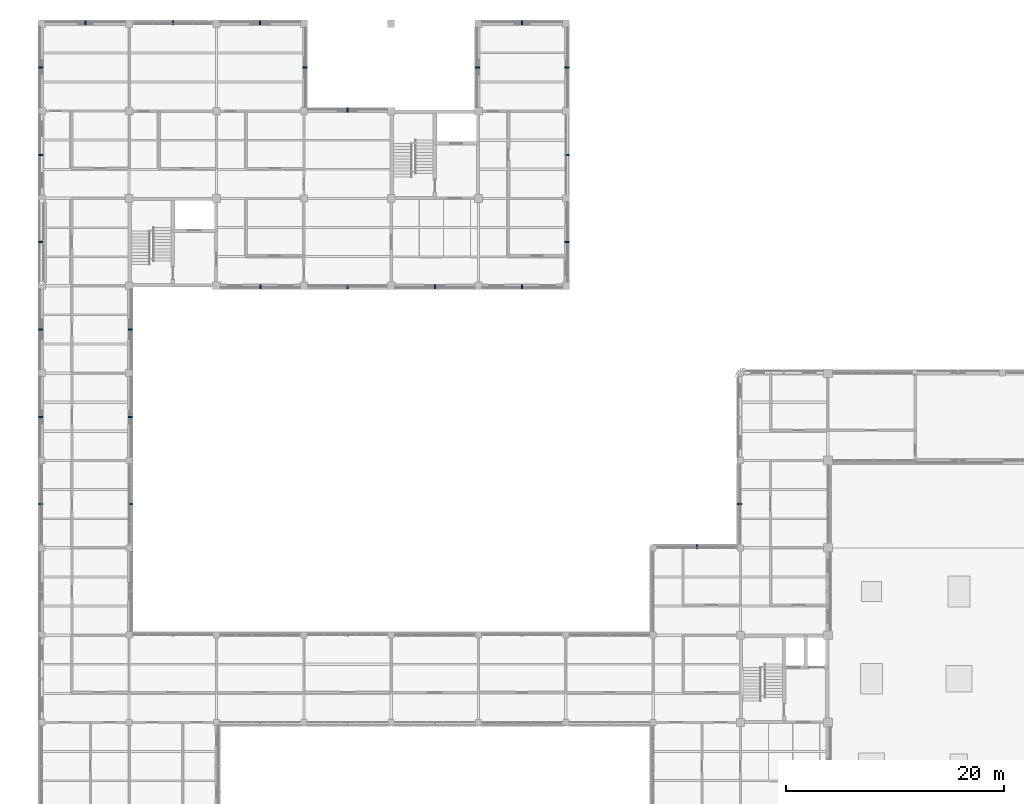
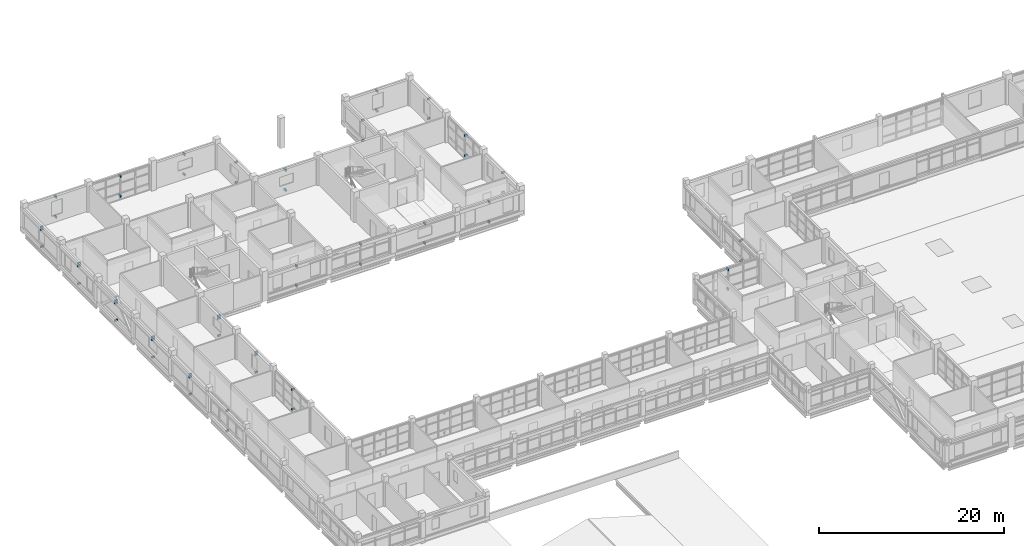
# One storey, part 92 of 107: 57 discrete accessories.
"""IFC4 building model written with IfcOpenShell, lengths in metres."""

from ifc_helpers import new_model, si_unit, derived_unit, direction, frame, origin, origin_2d, place, context, subcontext, project, spatial, rectangle, extrude, material, type_object, element, save


model = new_model("IFC4")

# Units and contexts
model_context = context("Model", 3, precision=1e-05, world=origin(), true_north=direction((0.0, 1.0)))
body_context = subcontext(model_context, "Body", "Model", "MODEL_VIEW")
ifc_project = project(units=[si_unit("LENGTHUNIT", "METRE"), si_unit("AREAUNIT", "SQUARE_METRE"), si_unit("VOLUMEUNIT", "CUBIC_METRE"), si_unit("PLANEANGLEUNIT", "RADIAN"), si_unit("MASSUNIT", "GRAM", prefix="KILO"), derived_unit("THERMALTRANSMITTANCEUNIT", [(si_unit("MASSUNIT", "GRAM", prefix="KILO"), 1), (si_unit("TIMEUNIT", "SECOND"), -3), (si_unit("THERMODYNAMICTEMPERATUREUNIT", "KELVIN"), -1)])], contexts=[model_context])

# Site, building, storey
site_placement = place(None, origin())
site = spatial("IfcSite", under=ifc_project, at=site_placement, CompositionType="ELEMENT")
building_placement = place(site_placement, origin())
building = spatial("IfcBuilding", under=site, at=building_placement, Name="Veyamyaing Civic Hall", CompositionType="ELEMENT")
storey_placement = place(building_placement, frame((0.0, 0.0, 13.860107421875)))
storey = spatial("IfcBuildingStorey", under=building, at=storey_placement, Name="L03", CompositionType="ELEMENT", Elevation=13.860107421875)

# Discrete accessories
ifc_material = material(Name="Steel S355J2", Category="steel")
discrete_accessory_type = type_object("IfcDiscreteAccessoryType", Name="BK-01", PredefinedType="BRACKET", material=ifc_material)
for number, where, z_axis, x_axis, name in (
    (1, (-0.10009765625, 68.0, 3.02685546875), (0.0, 0.0, 1.0), (-1.0, 0.0, 0.0), "Sunshade anchor bracket BK-01 L03 W 1.9"),
    (2, (-0.10009765625, 68.0, 0.35986328125), (0.0, 0.0, 1.0), (-1.0, 0.0, 0.0), "Lower ribbon anchor bracket BK-01 L03 W 1.9"),
    (3, (8.10009765625, 68.0, 2.9599609375), (0.0, 0.0, 1.0), (1.0, 0.0, 0.0), "Sunshade anchor bracket BK-01 L03 E 1.9"),
    (4, (8.10009765625, 68.0, 0.35986328125), (0.0, 0.0, 1.0), (1.0, 0.0, 0.0), "Lower ribbon anchor bracket BK-01 L03 E 1.9"),
    (5, (-0.10009765625, 75.97509765625, 2.9599609375), (0.0, 0.0, 1.0), (-1.0, 0.0, 0.0), "Sunshade anchor bracket BK-01 L03 W 1.10"),
    (6, (-0.10009765625, 75.97509765625, 0.35986328125), (0.0, 0.0, 1.0), (-1.0, 0.0, 0.0), "Lower ribbon anchor bracket BK-01 L03 W 1.10"),
    (7, (-0.10009765625, 75.97509765625, 2.6298828125), (0.0, 0.0, 1.0), (-1.0, 0.0, 0.0), "Louvre anchor bracket BK-01 L03 W 1.10"),
    (8, (8.10009765625, 75.97509765625, 3.02392578125), (0.0, 0.0, 1.0), (1.0, 0.0, 0.0), "Sunshade anchor bracket BK-01 L03 E 1.10"),
    (9, (8.10009765625, 75.97509765625, 0.35986328125), (0.0, 0.0, 1.0), (1.0, 0.0, 0.0), "Lower ribbon anchor bracket BK-01 L03 E 1.10"),
    (10, (8.10009765625, 75.97509765625, 2.69384765625), (0.0, 0.0, 1.0), (1.0, 0.0, 0.0), "Louvre anchor bracket BK-01 L03 E 1.10"),
    (11, (-0.10009765625, 84.0, 3.02392578125), (0.0, 0.0, 1.0), (-1.0, 0.0, 0.0), "Sunshade anchor bracket BK-01 L03 W 1.11"),
    (12, (-0.10009765625, 84.0, 0.35986328125), (0.0, 0.0, 1.0), (-1.0, 0.0, 0.0), "Lower ribbon anchor bracket BK-01 L03 W 1.11"),
    (13, (-0.10009765625, 84.0, 2.69384765625), (0.0, 0.0, 1.0), (-1.0, 0.0, 0.0), "Louvre anchor bracket BK-01 L03 W 1.11"),
    (14, (8.10009765625, 83.987548828125, 2.9638671875), (0.0, 0.0, 1.0), (1.0, 0.0, 0.0), "Sunshade anchor bracket BK-01 L03 E 1.11"),
    (15, (8.10009765625, 83.987548828125, 0.35986328125), (0.0, 0.0, 1.0), (1.0, 0.0, 0.0), "Lower ribbon anchor bracket BK-01 L03 E 1.11"),
    (16, (8.10009765625, 83.987548828125, 2.6337890625), (0.0, 0.0, 1.0), (1.0, 0.0, 0.0), "Louvre anchor bracket BK-01 L03 E 1.11"),
    (17, (-0.10009765625, 92.0, 2.9638671875), (0.0, 0.0, 1.0), (-1.0, 0.0, 0.0), "Sunshade anchor bracket BK-01 L03 W 1.12"),
    (18, (-0.10009765625, 92.0, 0.35986328125), (0.0, 0.0, 1.0), (-1.0, 0.0, 0.0), "Lower ribbon anchor bracket BK-01 L03 W 1.12"),
    (19, (-0.10009765625, 92.0, 2.6337890625), (0.0, 0.0, 1.0), (-1.0, 0.0, 0.0), "Louvre anchor bracket BK-01 L03 W 1.12"),
    (20, (-0.10009765625, 100.0, 3.02685546875), (0.0, 0.0, 1.0), (-1.0, 0.0, 0.0), "Sunshade anchor bracket BK-01 L03 W 1.13"),
    (21, (-0.10009765625, 100.0, 0.35986328125), (0.0, 0.0, 1.0), (-1.0, 0.0, 0.0), "Lower ribbon anchor bracket BK-01 L03 W 1.13"),
    (22, (-0.10009765625, 100.0, 2.69677734375), (0.0, 0.0, 1.0), (-1.0, 0.0, 0.0), "Louvre anchor bracket BK-01 L03 W 1.13"),
    (23, (4.0, 112.10009765625, 3.02392578125), (0.0, 0.0, 1.0), (0.0, 1.0, 0.0), "Sunshade anchor bracket BK-01 L03 N 1.14"),
    (24, (4.0, 112.10009765625, 0.35986328125), (0.0, 0.0, 1.0), (0.0, 1.0, 0.0), "Lower ribbon anchor bracket BK-01 L03 N 1.14"),
    (25, (-0.10009765625, 108.0, 2.9599609375), (0.0, 0.0, 1.0), (-1.0, 0.0, 0.0), "Sunshade anchor bracket BK-01 L03 W 1.14"),
    (26, (-0.10009765625, 108.0, 0.35986328125), (0.0, 0.0, 1.0), (-1.0, 0.0, 0.0), "Lower ribbon anchor bracket BK-01 L03 W 1.14"),
    (27, (-0.10009765625, 108.0, 2.6298828125), (0.0, 0.0, 1.0), (-1.0, 0.0, 0.0), "Louvre anchor bracket BK-01 L03 W 1.14"),
    (28, (12.0, 112.10009765625, 2.9638671875), (0.0, 0.0, 1.0), (0.0, 1.0, 0.0), "Sunshade anchor bracket BK-01 L03 N 2.14"),
    (29, (12.0, 112.10009765625, 0.35986328125), (0.0, 0.0, 1.0), (0.0, 1.0, 0.0), "Lower ribbon anchor bracket BK-01 L03 N 2.14"),
    (30, (20.012451171875, 87.89990234375, 2.9599609375), (0.0, 0.0, 1.0), (0.0, -1.0, 0.0), "Sunshade anchor bracket BK-01 L03 S 3.12"),
    (31, (20.012451171875, 87.89990234375, 0.35986328125), (0.0, 0.0, 1.0), (0.0, -1.0, 0.0), "Lower ribbon anchor bracket BK-01 L03 S 3.12"),
    (32, (20.0, 112.10009765625, 3.02685546875), (0.0, 0.0, 1.0), (0.0, 1.0, 0.0), "Sunshade anchor bracket BK-01 L03 N 3.14"),
    (33, (20.0, 112.10009765625, 0.35986328125), (0.0, 0.0, 1.0), (0.0, 1.0, 0.0), "Lower ribbon anchor bracket BK-01 L03 N 3.14"),
    (34, (24.10009765625, 108.0, 3.02685546875), (0.0, 0.0, 1.0), (1.0, 0.0, 0.0), "Sunshade anchor bracket BK-01 L03 E 3.14"),
    (35, (24.10009765625, 108.0, 0.35986328125), (0.0, 0.0, 1.0), (1.0, 0.0, 0.0), "Lower ribbon anchor bracket BK-01 L03 E 3.14"),
    (36, (28.0, 87.89990234375, 3.02392578125), (0.0, 0.0, 1.0), (0.0, -1.0, 0.0), "Sunshade anchor bracket BK-01 L03 S 4.12"),
    (37, (28.0, 87.89990234375, 0.35986328125), (0.0, 0.0, 1.0), (0.0, -1.0, 0.0), "Lower ribbon anchor bracket BK-01 L03 S 4.12"),
    (38, (27.987548828125, 104.10009765625, 3.02685546875), (0.0, 0.0, 1.0), (0.0, 1.0, 0.0), "Sunshade anchor bracket BK-01 L03 N 4.13"),
    (39, (27.987548828125, 104.10009765625, 0.35986328125), (0.0, 0.0, 1.0), (0.0, 1.0, 0.0), "Lower ribbon anchor bracket BK-01 L03 N 4.13"),
    (40, (36.0, 87.89990234375, 2.9638671875), (0.0, 0.0, 1.0), (0.0, -1.0, 0.0), "Sunshade anchor bracket BK-01 L03 S 5.12"),
    (41, (36.0, 87.89990234375, 0.35986328125), (0.0, 0.0, 1.0), (0.0, -1.0, 0.0), "Lower ribbon anchor bracket BK-01 L03 S 5.12"),
    (42, (44.0, 87.89990234375, 3.02685546875), (0.0, 0.0, 1.0), (0.0, -1.0, 0.0), "Sunshade anchor bracket BK-01 L03 S 6.12"),
    (43, (44.0, 87.89990234375, 0.35986328125), (0.0, 0.0, 1.0), (0.0, -1.0, 0.0), "Lower ribbon anchor bracket BK-01 L03 S 6.12"),
    (44, (48.10009765625, 92.0, 2.9599609375), (0.0, 0.0, 1.0), (1.0, 0.0, 0.0), "Sunshade anchor bracket BK-01 L03 E 6.12"),
    (45, (48.10009765625, 92.0, 0.35986328125), (0.0, 0.0, 1.0), (1.0, 0.0, 0.0), "Lower ribbon anchor bracket BK-01 L03 E 6.12"),
    (46, (48.10009765625, 100.0, 3.02392578125), (0.0, 0.0, 1.0), (1.0, 0.0, 0.0), "Sunshade anchor bracket BK-01 L03 E 6.13"),
    (47, (48.10009765625, 100.0, 0.35986328125), (0.0, 0.0, 1.0), (1.0, 0.0, 0.0), "Lower ribbon anchor bracket BK-01 L03 E 6.13"),
    (48, (44.0, 112.10009765625, 2.9638671875), (0.0, 0.0, 1.0), (0.0, 1.0, 0.0), "Sunshade anchor bracket BK-01 L03 N 6.14"),
    (49, (44.0, 112.10009765625, 0.35986328125), (0.0, 0.0, 1.0), (0.0, 1.0, 0.0), "Lower ribbon anchor bracket BK-01 L03 N 6.14"),
    (50, (39.89990234375, 108.012451171875, 3.02392578125), (0.0, 0.0, 1.0), (-1.0, 0.0, 0.0), "Sunshade anchor bracket BK-01 L03 W 6.14"),
    (51, (39.89990234375, 108.012451171875, 0.35986328125), (0.0, 0.0, 1.0), (-1.0, 0.0, 0.0), "Lower ribbon anchor bracket BK-01 L03 W 6.14"),
    (52, (48.10009765625, 108.0, 2.9638671875), (0.0, 0.0, 1.0), (1.0, 0.0, 0.0), "Sunshade anchor bracket BK-01 L03 E 6.14"),
    (53, (48.10009765625, 108.0, 0.35986328125), (0.0, 0.0, 1.0), (1.0, 0.0, 0.0), "Lower ribbon anchor bracket BK-01 L03 E 6.14"),
    (54, (60.0, 64.10009765625, 2.9638671875), (0.0, 0.0, 1.0), (0.0, 1.0, 0.0), "Sunshade anchor bracket BK-01 L03 N 8.8"),
    (55, (60.0, 64.10009765625, 0.35986328125), (0.0, 0.0, 1.0), (0.0, 1.0, 0.0), "Lower ribbon anchor bracket BK-01 L03 N 8.8"),
    (56, (63.89990234375, 68.0, 3.02685546875), (0.0, 0.0, 1.0), (-1.0, 0.0, 0.0), "Sunshade anchor bracket BK-01 L03 W 9.9"),
    (57, (63.89990234375, 68.0, 0.35986328125), (0.0, 0.0, 1.0), (-1.0, 0.0, 0.0), "Lower ribbon anchor bracket BK-01 L03 W 9.9"),
):
    element("IfcDiscreteAccessory", number, at=place(storey_placement, frame(where, z_axis=z_axis, x_axis=x_axis)), inside=storey, type_object=discrete_accessory_type, Name=name, PredefinedType="BRACKET", context=body_context, shape_type="SweptSolid", body=[
        extrude(rectangle(XDim=0.3798828125, YDim=0.139892578125, at=origin_2d()), origin(), (0.0, 0.0, 1.0), 0.239990234375),
    ])

save(model, "model.ifc")
